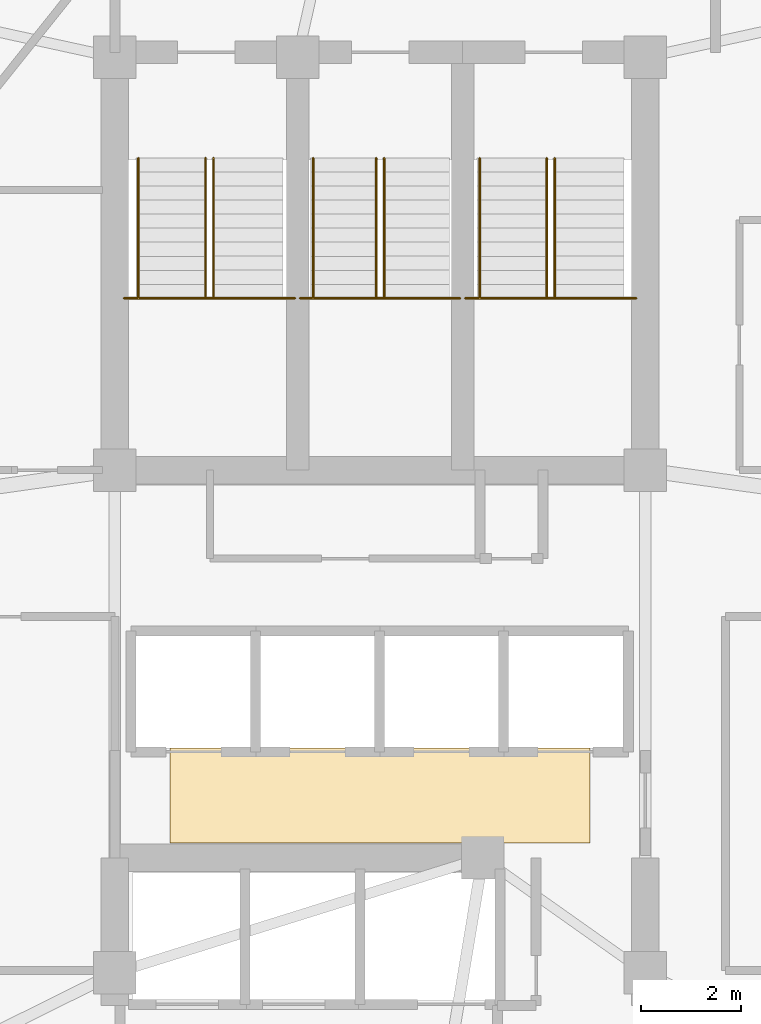
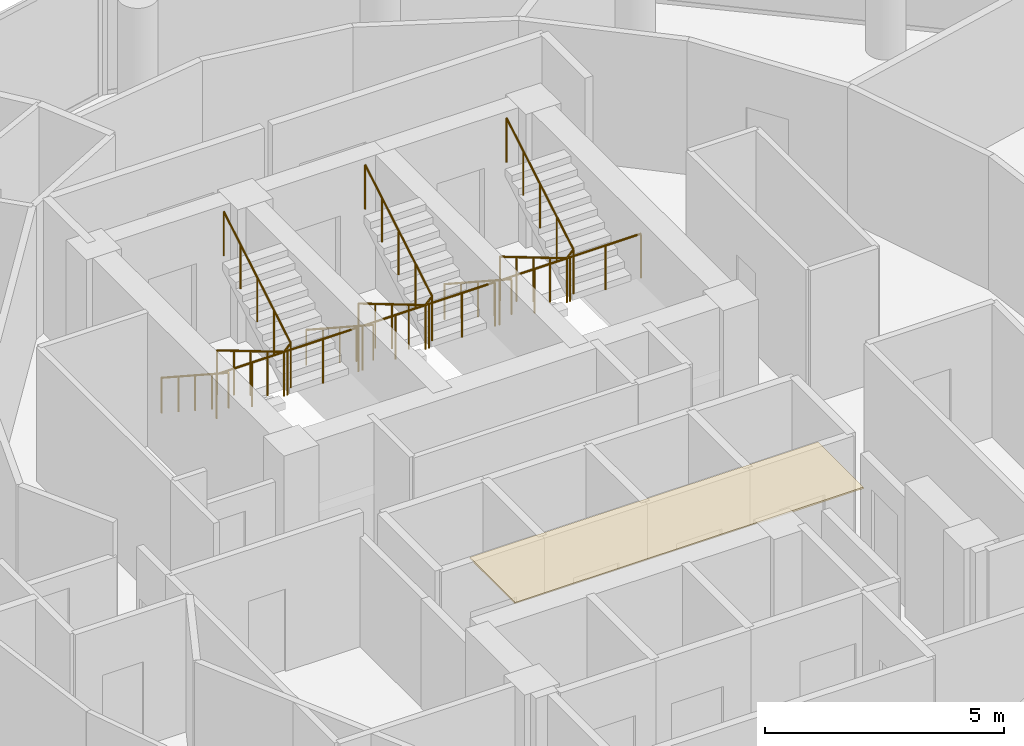
# One storey, part 27 of 27: 9 railings, 1 covering.
"""IFC4 building model written with IfcOpenShell, lengths in metres."""

from ifc_helpers import new_model, si_unit, direction, frame, origin, place, context, subcontext, project, spatial, polyline, outline, extrude, material, layer, layer_set, type_object, element, save


model = new_model("IFC4")

# Units and contexts
model_context = context("Model", 3, precision=1e-05, world=origin(), true_north=direction((0.0, 1.0)))
body_context = subcontext(model_context, "Body", "Model", "MODEL_VIEW")
ifc_project = project(units=[si_unit("LENGTHUNIT", "METRE"), si_unit("AREAUNIT", "SQUARE_METRE"), si_unit("VOLUMEUNIT", "CUBIC_METRE"), si_unit("PLANEANGLEUNIT", "RADIAN"), si_unit("MASSUNIT", "GRAM", prefix="KILO")], contexts=[model_context])

# Site, building, storey
site_placement = place(None, origin())
site = spatial("IfcSite", under=ifc_project, at=site_placement, CompositionType="ELEMENT")
building_placement = place(site_placement, origin())
building = spatial("IfcBuilding", under=site, at=building_placement, Name="Nuhasar Tower", CompositionType="ELEMENT")
storey_placement = place(building_placement, frame((0.0, 0.0, 219.10009765625)))
storey = spatial("IfcBuildingStorey", under=building, at=storey_placement, Name="L53", CompositionType="ELEMENT", Elevation=219.10009765625)

# Covering
ifc_material_1 = material(Name="Mineral Fibre Acoustic", Category="insulation")
ifc_layer = layer(ifc_material_1, 0.0400390625)
ifc_layer_set = layer_set([ifc_layer], Name="Mineral Fibre Acoustic")
covering_type = type_object("IfcCoveringType", Name="COV-CEIL-AC60", PredefinedType="CEILING", material=ifc_layer_set)
covering_placement = place(storey_placement, frame((0.0, 0.0, 3.369873046875)))
element("IfcCovering", 1, at=covering_placement, inside=storey, type_object=covering_type, Name="L53 Lift Lobby Acoustic Ceiling", PredefinedType="CEILING", context=body_context, shape_type="SweptSolid", body=[
    extrude(outline(polyline([(34.800048828125, 21.60009765625), (43.199951171875, 21.60009765625), (43.199951171875, 23.5), (34.800048828125, 23.5), (34.800048828125, 21.60009765625)])), origin(), (0.0, 0.0, 1.0), 0.0400390625),
])

# Railings
ifc_material_2 = material(Name="Steel S355", Category="steel")
railing_type_1 = type_object("IfcRailingType", Name="RLG-STAIR-GUARD-1150", PredefinedType="GUARDRAIL", material=ifc_material_2)
railing_1_placement = place(storey_placement, frame((33.8798828125, 32.485107421875, 1.824951171875)))
element("IfcRailing", 2, at=railing_1_placement, inside=storey, type_object=railing_type_1, Name="L53 Stair ST-01 Guardrail LND", PredefinedType="GUARDRAIL", context=body_context, shape_type="SweptSolid", body=[
    extrude(outline(polyline([(0.024169921875, 0.0), (0.01708984375, 0.01708984375), (0.0, 0.024169921875), (-0.01708984375, 0.01708984375), (-0.024169921875, 0.0), (-0.01708984375, -0.01708984375), (0.0, -0.024169921875), (0.01708984375, -0.01708984375), (0.024169921875, 0.0)])), frame((0.0, 0.0, 1.1259765625), z_axis=(1.0, 0.0, 0.0), x_axis=(0.0, 1.0, 0.0)), (0.0, 0.0, 1.0), 3.420166015625),
    extrude(outline(polyline([(0.02099609375, 0.0), (0.014892578125, 0.014892578125), (0.0, 0.02099609375), (-0.014892578125, 0.014892578125), (-0.02099609375, 0.0), (-0.014892578125, -0.014892578125), (0.0, -0.02099609375), (0.014892578125, -0.014892578125), (0.02099609375, 0.0)])), origin(), (0.0, 0.0, 1.0), 1.101806640625),
    extrude(outline(polyline([(0.02099609375, 0.0), (0.014892578125, 0.014892578125), (0.0, 0.02099609375), (-0.014892578125, 0.014892578125), (-0.02099609375, 0.0), (-0.014892578125, -0.014892578125), (0.0, -0.02099609375), (0.014892578125, -0.014892578125), (0.02099609375, 0.0)])), frame((0.85498046875, 0.0, 0.0)), (0.0, 0.0, 1.0), 1.101806640625),
    extrude(outline(polyline([(0.02099609375, 0.0), (0.014892578125, 0.014892578125), (0.0, 0.02099609375), (-0.014892578125, 0.014892578125), (-0.02099609375, 0.0), (-0.014892578125, -0.014892578125), (0.0, -0.02099609375), (0.014892578125, -0.014892578125), (0.02099609375, 0.0)])), frame((1.7099609375, 0.0, 0.0)), (0.0, 0.0, 1.0), 1.101806640625),
    extrude(outline(polyline([(0.02099609375, 0.0), (0.014892578125, 0.014892578125), (0.0, 0.02099609375), (-0.014892578125, 0.014892578125), (-0.02099609375, 0.0), (-0.014892578125, -0.014892578125), (0.0, -0.02099609375), (0.014892578125, -0.014892578125), (0.02099609375, 0.0)])), frame((2.565185546875, 0.0, 0.0)), (0.0, 0.0, 1.0), 1.101806640625),
    extrude(outline(polyline([(0.02099609375, 0.0), (0.014892578125, 0.014892578125), (0.0, 0.02099609375), (-0.014892578125, 0.014892578125), (-0.02099609375, 0.0), (-0.014892578125, -0.014892578125), (0.0, -0.02099609375), (0.014892578125, -0.014892578125), (0.02099609375, 0.0)])), frame((3.420166015625, 0.0, 0.0)), (0.0, 0.0, 1.0), 1.101806640625),
])
railing_2_placement = place(storey_placement, frame((35.510009765625, 35.284912109375, 0.166015625)))
element("IfcRailing", 3, at=railing_2_placement, inside=storey, type_object=railing_type_1, Name="L53 Stair ST-01 Guardrail SLT", PredefinedType="GUARDRAIL", context=body_context, shape_type="SweptSolid", body=[
    extrude(outline(polyline([(0.024169921875, 0.0), (0.01708984375, 0.01708984375), (0.0, 0.024169921875), (-0.01708984375, 0.01708984375), (-0.024169921875, 0.0), (-0.01708984375, -0.01708984375), (0.0, -0.024169921875), (0.01708984375, -0.01708984375), (0.024169921875, 0.0)])), frame((0.0, 0.0, 1.1259765625), z_axis=(0.0, -0.860319559791, 0.509755093197), x_axis=(1.0, 0.0, 0.0)), (0.0, 0.0, 1.0), 3.25439453125),
    extrude(outline(polyline([(0.024169921875, 0.0), (0.01708984375, 0.01708984375), (0.0, 0.024169921875), (-0.01708984375, 0.01708984375), (-0.024169921875, 0.0), (-0.01708984375, -0.01708984375), (0.0, -0.024169921875), (0.01708984375, -0.01708984375), (0.024169921875, 0.0)])), frame((0.0, -2.7998046875, 2.78466796875), z_axis=(0.693743449033, 0.0, 0.72022220663), x_axis=(0.0, 1.0, 0.0)), (0.0, 0.0, 1.0), 0.23046875),
    extrude(outline(polyline([(0.024169921875, 0.0), (0.01708984375, 0.01708984375), (0.0, 0.024169921875), (-0.01708984375, 0.01708984375), (-0.024169921875, 0.0), (-0.01708984375, -0.01708984375), (0.0, -0.024169921875), (0.01708984375, -0.01708984375), (0.024169921875, 0.0)])), frame((0.159912109375, -2.7998046875, 2.95068359375), z_axis=(0.0, 0.860319559791, 0.509755093197), x_axis=(-1.0, 0.0, 0.0)), (0.0, 0.0, 1.0), 3.25439453125),
    extrude(outline(polyline([(0.02099609375, 0.0), (0.014892578125, 0.014892578125), (0.0, 0.02099609375), (-0.014892578125, 0.014892578125), (-0.02099609375, 0.0), (-0.014892578125, -0.014892578125), (0.0, -0.02099609375), (0.014892578125, -0.014892578125), (0.02099609375, 0.0)])), origin(), (0.0, 0.0, 1.0), 1.101806640625),
    extrude(outline(polyline([(0.02099609375, 0.0), (0.014892578125, 0.014892578125), (0.0, 0.02099609375), (-0.014892578125, 0.014892578125), (-0.02099609375, 0.0), (-0.014892578125, -0.014892578125), (0.0, -0.02099609375), (0.014892578125, -0.014892578125), (0.02099609375, 0.0)])), frame((0.0, -0.699951171875, 0.414794921875)), (0.0, 0.0, 1.0), 1.101806640625),
    extrude(outline(polyline([(0.02099609375, 0.0), (0.014892578125, 0.014892578125), (0.0, 0.02099609375), (-0.014892578125, 0.014892578125), (-0.02099609375, 0.0), (-0.014892578125, -0.014892578125), (0.0, -0.02099609375), (0.014892578125, -0.014892578125), (0.02099609375, 0.0)])), frame((0.0, -1.39990234375, 0.82958984375)), (0.0, 0.0, 1.0), 1.101806640625),
    extrude(outline(polyline([(0.02099609375, 0.0), (0.014892578125, 0.014892578125), (0.0, 0.02099609375), (-0.014892578125, 0.014892578125), (-0.02099609375, 0.0), (-0.014892578125, -0.014892578125), (0.0, -0.02099609375), (0.014892578125, -0.014892578125), (0.02099609375, 0.0)])), frame((0.0, -2.099853515625, 1.244140625)), (0.0, 0.0, 1.0), 1.101806640625),
    extrude(outline(polyline([(0.02099609375, 0.0), (0.014892578125, 0.014892578125), (0.0, 0.02099609375), (-0.014892578125, 0.014892578125), (-0.02099609375, 0.0), (-0.014892578125, -0.014892578125), (0.0, -0.02099609375), (0.014892578125, -0.014892578125), (0.02099609375, 0.0)])), frame((0.0, -2.7998046875, 1.658935546875)), (0.0, 0.0, 1.0), 1.101806640625),
    extrude(outline(polyline([(0.02099609375, 0.0), (0.014892578125, 0.014892578125), (0.0, 0.02099609375), (-0.014892578125, 0.014892578125), (-0.02099609375, 0.0), (-0.014892578125, -0.014892578125), (0.0, -0.02099609375), (0.014892578125, -0.014892578125), (0.02099609375, 0.0)])), frame((0.159912109375, -2.7998046875, 1.824951171875)), (0.0, 0.0, 1.0), 1.101806640625),
    extrude(outline(polyline([(0.02099609375, 0.0), (0.014892578125, 0.014892578125), (0.0, 0.02099609375), (-0.014892578125, 0.014892578125), (-0.02099609375, 0.0), (-0.014892578125, -0.014892578125), (0.0, -0.02099609375), (0.014892578125, -0.014892578125), (0.02099609375, 0.0)])), frame((0.159912109375, -2.099853515625, 2.23974609375)), (0.0, 0.0, 1.0), 1.101806640625),
    extrude(outline(polyline([(0.02099609375, 0.0), (0.014892578125, 0.014892578125), (0.0, 0.02099609375), (-0.014892578125, 0.014892578125), (-0.02099609375, 0.0), (-0.014892578125, -0.014892578125), (0.0, -0.02099609375), (0.014892578125, -0.014892578125), (0.02099609375, 0.0)])), frame((0.159912109375, -1.39990234375, 2.654296875)), (0.0, 0.0, 1.0), 1.101806640625),
    extrude(outline(polyline([(0.02099609375, 0.0), (0.014892578125, 0.014892578125), (0.0, 0.02099609375), (-0.014892578125, 0.014892578125), (-0.02099609375, 0.0), (-0.014892578125, -0.014892578125), (0.0, -0.02099609375), (0.014892578125, -0.014892578125), (0.02099609375, 0.0)])), frame((0.159912109375, -0.699951171875, 3.069091796875)), (0.0, 0.0, 1.0), 1.101806640625),
    extrude(outline(polyline([(0.02099609375, 0.0), (0.014892578125, 0.014892578125), (0.0, 0.02099609375), (-0.014892578125, 0.014892578125), (-0.02099609375, 0.0), (-0.014892578125, -0.014892578125), (0.0, -0.02099609375), (0.014892578125, -0.014892578125), (0.02099609375, 0.0)])), frame((0.159912109375, 0.0, 3.48388671875)), (0.0, 0.0, 1.0), 1.101806640625),
])
railing_3_placement = place(storey_placement, frame((37.39990234375, 32.485107421875, 1.824951171875)))
element("IfcRailing", 4, at=railing_3_placement, inside=storey, type_object=railing_type_1, Name="L53 Stair ST-03 Guardrail LND", PredefinedType="GUARDRAIL", context=body_context, shape_type="SweptSolid", body=[
    extrude(outline(polyline([(0.024169921875, 0.0), (0.01708984375, 0.01708984375), (0.0, 0.024169921875), (-0.01708984375, 0.01708984375), (-0.024169921875, 0.0), (-0.01708984375, -0.01708984375), (0.0, -0.024169921875), (0.01708984375, -0.01708984375), (0.024169921875, 0.0)])), frame((0.0, 0.0, 1.1259765625), z_axis=(1.0, 0.0, 0.0), x_axis=(0.0, 1.0, 0.0)), (0.0, 0.0, 1.0), 3.2001953125),
    extrude(outline(polyline([(0.02099609375, 0.0), (0.014892578125, 0.014892578125), (0.0, 0.02099609375), (-0.014892578125, 0.014892578125), (-0.02099609375, 0.0), (-0.014892578125, -0.014892578125), (0.0, -0.02099609375), (0.014892578125, -0.014892578125), (0.02099609375, 0.0)])), origin(), (0.0, 0.0, 1.0), 1.101806640625),
    extrude(outline(polyline([(0.02099609375, 0.0), (0.014892578125, 0.014892578125), (0.0, 0.02099609375), (-0.014892578125, 0.014892578125), (-0.02099609375, 0.0), (-0.014892578125, -0.014892578125), (0.0, -0.02099609375), (0.014892578125, -0.014892578125), (0.02099609375, 0.0)])), frame((0.800048828125, 0.0, 0.0)), (0.0, 0.0, 1.0), 1.101806640625),
    extrude(outline(polyline([(0.02099609375, 0.0), (0.014892578125, 0.014892578125), (0.0, 0.02099609375), (-0.014892578125, 0.014892578125), (-0.02099609375, 0.0), (-0.014892578125, -0.014892578125), (0.0, -0.02099609375), (0.014892578125, -0.014892578125), (0.02099609375, 0.0)])), frame((1.60009765625, 0.0, 0.0)), (0.0, 0.0, 1.0), 1.101806640625),
    extrude(outline(polyline([(0.02099609375, 0.0), (0.014892578125, 0.014892578125), (0.0, 0.02099609375), (-0.014892578125, 0.014892578125), (-0.02099609375, 0.0), (-0.014892578125, -0.014892578125), (0.0, -0.02099609375), (0.014892578125, -0.014892578125), (0.02099609375, 0.0)])), frame((2.400146484375, 0.0, 0.0)), (0.0, 0.0, 1.0), 1.101806640625),
    extrude(outline(polyline([(0.02099609375, 0.0), (0.014892578125, 0.014892578125), (0.0, 0.02099609375), (-0.014892578125, 0.014892578125), (-0.02099609375, 0.0), (-0.014892578125, -0.014892578125), (0.0, -0.02099609375), (0.014892578125, -0.014892578125), (0.02099609375, 0.0)])), frame((3.2001953125, 0.0, 0.0)), (0.0, 0.0, 1.0), 1.101806640625),
])
railing_4_placement = place(storey_placement, frame((38.919921875, 35.284912109375, 0.166015625)))
element("IfcRailing", 5, at=railing_4_placement, inside=storey, type_object=railing_type_1, Name="L53 Stair ST-03 Guardrail SLT", PredefinedType="GUARDRAIL", context=body_context, shape_type="SweptSolid", body=[
    extrude(outline(polyline([(0.024169921875, 0.0), (0.01708984375, 0.01708984375), (0.0, 0.024169921875), (-0.01708984375, 0.01708984375), (-0.024169921875, 0.0), (-0.01708984375, -0.01708984375), (0.0, -0.024169921875), (0.01708984375, -0.01708984375), (0.024169921875, 0.0)])), frame((0.0, 0.0, 1.1259765625), z_axis=(0.0, -0.860319559791, 0.509755093197), x_axis=(1.0, 0.0, 0.0)), (0.0, 0.0, 1.0), 3.25439453125),
    extrude(outline(polyline([(0.024169921875, 0.0), (0.01708984375, 0.01708984375), (0.0, 0.024169921875), (-0.01708984375, 0.01708984375), (-0.024169921875, 0.0), (-0.01708984375, -0.01708984375), (0.0, -0.024169921875), (0.01708984375, -0.01708984375), (0.024169921875, 0.0)])), frame((0.0, -2.7998046875, 2.78466796875), z_axis=(0.694292246407, 0.0, 0.719693182251), x_axis=(0.0, 1.0, 0.0)), (0.0, 0.0, 1.0), 0.230712890625),
    extrude(outline(polyline([(0.024169921875, 0.0), (0.01708984375, 0.01708984375), (0.0, 0.024169921875), (-0.01708984375, 0.01708984375), (-0.024169921875, 0.0), (-0.01708984375, -0.01708984375), (0.0, -0.024169921875), (0.01708984375, -0.01708984375), (0.024169921875, 0.0)])), frame((0.16015625, -2.7998046875, 2.95068359375), z_axis=(0.0, 0.860319559791, 0.509755093197), x_axis=(-1.0, 0.0, 0.0)), (0.0, 0.0, 1.0), 3.25439453125),
    extrude(outline(polyline([(0.02099609375, 0.0), (0.014892578125, 0.014892578125), (0.0, 0.02099609375), (-0.014892578125, 0.014892578125), (-0.02099609375, 0.0), (-0.014892578125, -0.014892578125), (0.0, -0.02099609375), (0.014892578125, -0.014892578125), (0.02099609375, 0.0)])), origin(), (0.0, 0.0, 1.0), 1.101806640625),
    extrude(outline(polyline([(0.02099609375, 0.0), (0.014892578125, 0.014892578125), (0.0, 0.02099609375), (-0.014892578125, 0.014892578125), (-0.02099609375, 0.0), (-0.014892578125, -0.014892578125), (0.0, -0.02099609375), (0.014892578125, -0.014892578125), (0.02099609375, 0.0)])), frame((0.0, -0.699951171875, 0.414794921875)), (0.0, 0.0, 1.0), 1.101806640625),
    extrude(outline(polyline([(0.02099609375, 0.0), (0.014892578125, 0.014892578125), (0.0, 0.02099609375), (-0.014892578125, 0.014892578125), (-0.02099609375, 0.0), (-0.014892578125, -0.014892578125), (0.0, -0.02099609375), (0.014892578125, -0.014892578125), (0.02099609375, 0.0)])), frame((0.0, -1.39990234375, 0.82958984375)), (0.0, 0.0, 1.0), 1.101806640625),
    extrude(outline(polyline([(0.02099609375, 0.0), (0.014892578125, 0.014892578125), (0.0, 0.02099609375), (-0.014892578125, 0.014892578125), (-0.02099609375, 0.0), (-0.014892578125, -0.014892578125), (0.0, -0.02099609375), (0.014892578125, -0.014892578125), (0.02099609375, 0.0)])), frame((0.0, -2.099853515625, 1.244140625)), (0.0, 0.0, 1.0), 1.101806640625),
    extrude(outline(polyline([(0.02099609375, 0.0), (0.014892578125, 0.014892578125), (0.0, 0.02099609375), (-0.014892578125, 0.014892578125), (-0.02099609375, 0.0), (-0.014892578125, -0.014892578125), (0.0, -0.02099609375), (0.014892578125, -0.014892578125), (0.02099609375, 0.0)])), frame((0.0, -2.7998046875, 1.658935546875)), (0.0, 0.0, 1.0), 1.101806640625),
    extrude(outline(polyline([(0.02099609375, 0.0), (0.014892578125, 0.014892578125), (0.0, 0.02099609375), (-0.014892578125, 0.014892578125), (-0.02099609375, 0.0), (-0.014892578125, -0.014892578125), (0.0, -0.02099609375), (0.014892578125, -0.014892578125), (0.02099609375, 0.0)])), frame((0.16015625, -2.7998046875, 1.824951171875)), (0.0, 0.0, 1.0), 1.101806640625),
    extrude(outline(polyline([(0.02099609375, 0.0), (0.014892578125, 0.014892578125), (0.0, 0.02099609375), (-0.014892578125, 0.014892578125), (-0.02099609375, 0.0), (-0.014892578125, -0.014892578125), (0.0, -0.02099609375), (0.014892578125, -0.014892578125), (0.02099609375, 0.0)])), frame((0.16015625, -2.099853515625, 2.23974609375)), (0.0, 0.0, 1.0), 1.101806640625),
    extrude(outline(polyline([(0.02099609375, 0.0), (0.014892578125, 0.014892578125), (0.0, 0.02099609375), (-0.014892578125, 0.014892578125), (-0.02099609375, 0.0), (-0.014892578125, -0.014892578125), (0.0, -0.02099609375), (0.014892578125, -0.014892578125), (0.02099609375, 0.0)])), frame((0.16015625, -1.39990234375, 2.654296875)), (0.0, 0.0, 1.0), 1.101806640625),
    extrude(outline(polyline([(0.02099609375, 0.0), (0.014892578125, 0.014892578125), (0.0, 0.02099609375), (-0.014892578125, 0.014892578125), (-0.02099609375, 0.0), (-0.014892578125, -0.014892578125), (0.0, -0.02099609375), (0.014892578125, -0.014892578125), (0.02099609375, 0.0)])), frame((0.16015625, -0.699951171875, 3.069091796875)), (0.0, 0.0, 1.0), 1.101806640625),
    extrude(outline(polyline([(0.02099609375, 0.0), (0.014892578125, 0.014892578125), (0.0, 0.02099609375), (-0.014892578125, 0.014892578125), (-0.02099609375, 0.0), (-0.014892578125, -0.014892578125), (0.0, -0.02099609375), (0.014892578125, -0.014892578125), (0.02099609375, 0.0)])), frame((0.16015625, 0.0, 3.48388671875)), (0.0, 0.0, 1.0), 1.101806640625),
])
railing_5_placement = place(storey_placement, frame((40.699951171875, 32.485107421875, 1.824951171875)))
element("IfcRailing", 6, at=railing_5_placement, inside=storey, type_object=railing_type_1, Name="L53 Stair ST-02 Guardrail LND", PredefinedType="GUARDRAIL", context=body_context, shape_type="SweptSolid", body=[
    extrude(outline(polyline([(0.024169921875, 0.0), (0.01708984375, 0.01708984375), (0.0, 0.024169921875), (-0.01708984375, 0.01708984375), (-0.024169921875, 0.0), (-0.01708984375, -0.01708984375), (0.0, -0.024169921875), (0.01708984375, -0.01708984375), (0.024169921875, 0.0)])), frame((0.0, 0.0, 1.1259765625), z_axis=(1.0, 0.0, 0.0), x_axis=(0.0, 1.0, 0.0)), (0.0, 0.0, 1.0), 3.420166015625),
    extrude(outline(polyline([(0.02099609375, 0.0), (0.014892578125, 0.014892578125), (0.0, 0.02099609375), (-0.014892578125, 0.014892578125), (-0.02099609375, 0.0), (-0.014892578125, -0.014892578125), (0.0, -0.02099609375), (0.014892578125, -0.014892578125), (0.02099609375, 0.0)])), origin(), (0.0, 0.0, 1.0), 1.101806640625),
    extrude(outline(polyline([(0.02099609375, 0.0), (0.014892578125, 0.014892578125), (0.0, 0.02099609375), (-0.014892578125, 0.014892578125), (-0.02099609375, 0.0), (-0.014892578125, -0.014892578125), (0.0, -0.02099609375), (0.014892578125, -0.014892578125), (0.02099609375, 0.0)])), frame((0.85498046875, 0.0, 0.0)), (0.0, 0.0, 1.0), 1.101806640625),
    extrude(outline(polyline([(0.02099609375, 0.0), (0.014892578125, 0.014892578125), (0.0, 0.02099609375), (-0.014892578125, 0.014892578125), (-0.02099609375, 0.0), (-0.014892578125, -0.014892578125), (0.0, -0.02099609375), (0.014892578125, -0.014892578125), (0.02099609375, 0.0)])), frame((1.7099609375, 0.0, 0.0)), (0.0, 0.0, 1.0), 1.101806640625),
    extrude(outline(polyline([(0.02099609375, 0.0), (0.014892578125, 0.014892578125), (0.0, 0.02099609375), (-0.014892578125, 0.014892578125), (-0.02099609375, 0.0), (-0.014892578125, -0.014892578125), (0.0, -0.02099609375), (0.014892578125, -0.014892578125), (0.02099609375, 0.0)])), frame((2.565185546875, 0.0, 0.0)), (0.0, 0.0, 1.0), 1.101806640625),
    extrude(outline(polyline([(0.02099609375, 0.0), (0.014892578125, 0.014892578125), (0.0, 0.02099609375), (-0.014892578125, 0.014892578125), (-0.02099609375, 0.0), (-0.014892578125, -0.014892578125), (0.0, -0.02099609375), (0.014892578125, -0.014892578125), (0.02099609375, 0.0)])), frame((3.420166015625, 0.0, 0.0)), (0.0, 0.0, 1.0), 1.101806640625),
])
railing_6_placement = place(storey_placement, frame((42.330078125, 35.284912109375, 0.166015625)))
element("IfcRailing", 7, at=railing_6_placement, inside=storey, type_object=railing_type_1, Name="L53 Stair ST-02 Guardrail SLT", PredefinedType="GUARDRAIL", context=body_context, shape_type="SweptSolid", body=[
    extrude(outline(polyline([(0.024169921875, 0.0), (0.01708984375, 0.01708984375), (0.0, 0.024169921875), (-0.01708984375, 0.01708984375), (-0.024169921875, 0.0), (-0.01708984375, -0.01708984375), (0.0, -0.024169921875), (0.01708984375, -0.01708984375), (0.024169921875, 0.0)])), frame((0.0, 0.0, 1.1259765625), z_axis=(0.0, -0.860319559791, 0.509755093197), x_axis=(1.0, 0.0, 0.0)), (0.0, 0.0, 1.0), 3.25439453125),
    extrude(outline(polyline([(0.024169921875, 0.0), (0.01708984375, 0.01708984375), (0.0, 0.024169921875), (-0.01708984375, 0.01708984375), (-0.024169921875, 0.0), (-0.01708984375, -0.01708984375), (0.0, -0.024169921875), (0.01708984375, -0.01708984375), (0.024169921875, 0.0)])), frame((0.0, -2.7998046875, 2.78466796875), z_axis=(0.693743449033, 0.0, 0.72022220663), x_axis=(0.0, 1.0, 0.0)), (0.0, 0.0, 1.0), 0.23046875),
    extrude(outline(polyline([(0.024169921875, 0.0), (0.01708984375, 0.01708984375), (0.0, 0.024169921875), (-0.01708984375, 0.01708984375), (-0.024169921875, 0.0), (-0.01708984375, -0.01708984375), (0.0, -0.024169921875), (0.01708984375, -0.01708984375), (0.024169921875, 0.0)])), frame((0.159912109375, -2.7998046875, 2.95068359375), z_axis=(0.0, 0.860319559791, 0.509755093197), x_axis=(-1.0, 0.0, 0.0)), (0.0, 0.0, 1.0), 3.25439453125),
    extrude(outline(polyline([(0.02099609375, 0.0), (0.014892578125, 0.014892578125), (0.0, 0.02099609375), (-0.014892578125, 0.014892578125), (-0.02099609375, 0.0), (-0.014892578125, -0.014892578125), (0.0, -0.02099609375), (0.014892578125, -0.014892578125), (0.02099609375, 0.0)])), origin(), (0.0, 0.0, 1.0), 1.101806640625),
    extrude(outline(polyline([(0.02099609375, 0.0), (0.014892578125, 0.014892578125), (0.0, 0.02099609375), (-0.014892578125, 0.014892578125), (-0.02099609375, 0.0), (-0.014892578125, -0.014892578125), (0.0, -0.02099609375), (0.014892578125, -0.014892578125), (0.02099609375, 0.0)])), frame((0.0, -0.699951171875, 0.414794921875)), (0.0, 0.0, 1.0), 1.101806640625),
    extrude(outline(polyline([(0.02099609375, 0.0), (0.014892578125, 0.014892578125), (0.0, 0.02099609375), (-0.014892578125, 0.014892578125), (-0.02099609375, 0.0), (-0.014892578125, -0.014892578125), (0.0, -0.02099609375), (0.014892578125, -0.014892578125), (0.02099609375, 0.0)])), frame((0.0, -1.39990234375, 0.82958984375)), (0.0, 0.0, 1.0), 1.101806640625),
    extrude(outline(polyline([(0.02099609375, 0.0), (0.014892578125, 0.014892578125), (0.0, 0.02099609375), (-0.014892578125, 0.014892578125), (-0.02099609375, 0.0), (-0.014892578125, -0.014892578125), (0.0, -0.02099609375), (0.014892578125, -0.014892578125), (0.02099609375, 0.0)])), frame((0.0, -2.099853515625, 1.244140625)), (0.0, 0.0, 1.0), 1.101806640625),
    extrude(outline(polyline([(0.02099609375, 0.0), (0.014892578125, 0.014892578125), (0.0, 0.02099609375), (-0.014892578125, 0.014892578125), (-0.02099609375, 0.0), (-0.014892578125, -0.014892578125), (0.0, -0.02099609375), (0.014892578125, -0.014892578125), (0.02099609375, 0.0)])), frame((0.0, -2.7998046875, 1.658935546875)), (0.0, 0.0, 1.0), 1.101806640625),
    extrude(outline(polyline([(0.02099609375, 0.0), (0.014892578125, 0.014892578125), (0.0, 0.02099609375), (-0.014892578125, 0.014892578125), (-0.02099609375, 0.0), (-0.014892578125, -0.014892578125), (0.0, -0.02099609375), (0.014892578125, -0.014892578125), (0.02099609375, 0.0)])), frame((0.159912109375, -2.7998046875, 1.824951171875)), (0.0, 0.0, 1.0), 1.101806640625),
    extrude(outline(polyline([(0.02099609375, 0.0), (0.014892578125, 0.014892578125), (0.0, 0.02099609375), (-0.014892578125, 0.014892578125), (-0.02099609375, 0.0), (-0.014892578125, -0.014892578125), (0.0, -0.02099609375), (0.014892578125, -0.014892578125), (0.02099609375, 0.0)])), frame((0.159912109375, -2.099853515625, 2.23974609375)), (0.0, 0.0, 1.0), 1.101806640625),
    extrude(outline(polyline([(0.02099609375, 0.0), (0.014892578125, 0.014892578125), (0.0, 0.02099609375), (-0.014892578125, 0.014892578125), (-0.02099609375, 0.0), (-0.014892578125, -0.014892578125), (0.0, -0.02099609375), (0.014892578125, -0.014892578125), (0.02099609375, 0.0)])), frame((0.159912109375, -1.39990234375, 2.654296875)), (0.0, 0.0, 1.0), 1.101806640625),
    extrude(outline(polyline([(0.02099609375, 0.0), (0.014892578125, 0.014892578125), (0.0, 0.02099609375), (-0.014892578125, 0.014892578125), (-0.02099609375, 0.0), (-0.014892578125, -0.014892578125), (0.0, -0.02099609375), (0.014892578125, -0.014892578125), (0.02099609375, 0.0)])), frame((0.159912109375, -0.699951171875, 3.069091796875)), (0.0, 0.0, 1.0), 1.101806640625),
    extrude(outline(polyline([(0.02099609375, 0.0), (0.014892578125, 0.014892578125), (0.0, 0.02099609375), (-0.014892578125, 0.014892578125), (-0.02099609375, 0.0), (-0.014892578125, -0.014892578125), (0.0, -0.02099609375), (0.014892578125, -0.014892578125), (0.02099609375, 0.0)])), frame((0.159912109375, 0.0, 3.48388671875)), (0.0, 0.0, 1.0), 1.101806640625),
])
ifc_material_3 = material(Name="Stainless Steel 316L", Category="steel")
railing_type_2 = type_object("IfcRailingType", Name="RLG-STAIR-HAND-920", PredefinedType="HANDRAIL", material=ifc_material_3)
railing_7_placement = place(storey_placement, frame((34.169921875, 35.284912109375, 0.166015625)))
element("IfcRailing", 8, at=railing_7_placement, inside=storey, type_object=railing_type_2, Name="L53 Stair ST-01 Handrail HND1", PredefinedType="HANDRAIL", context=body_context, shape_type="SweptSolid", body=[
    extrude(outline(polyline([(0.024169921875, 0.0), (0.01708984375, 0.01708984375), (0.0, 0.024169921875), (-0.01708984375, 0.01708984375), (-0.024169921875, 0.0), (-0.01708984375, -0.01708984375), (0.0, -0.024169921875), (0.01708984375, -0.01708984375), (0.024169921875, 0.0)])), frame((0.0, 0.0, 0.89599609375), z_axis=(0.0, -0.837748630625, 0.546056070276), x_axis=(1.0, 0.0, 0.0)), (0.0, 0.0, 1.0), 3.342041015625),
    extrude(outline(polyline([(0.02099609375, 0.0), (0.014892578125, 0.014892578125), (0.0, 0.02099609375), (-0.014892578125, 0.014892578125), (-0.02099609375, 0.0), (-0.014892578125, -0.014892578125), (0.0, -0.02099609375), (0.014892578125, -0.014892578125), (0.02099609375, 0.0)])), origin(), (0.0, 0.0, 1.0), 0.871826171875),
    extrude(outline(polyline([(0.02099609375, 0.0), (0.014892578125, 0.014892578125), (0.0, 0.02099609375), (-0.014892578125, 0.014892578125), (-0.02099609375, 0.0), (-0.014892578125, -0.014892578125), (0.0, -0.02099609375), (0.014892578125, -0.014892578125), (0.02099609375, 0.0)])), frame((0.0, -0.699951171875, 0.456298828125)), (0.0, 0.0, 1.0), 0.871826171875),
    extrude(outline(polyline([(0.02099609375, 0.0), (0.014892578125, 0.014892578125), (0.0, 0.02099609375), (-0.014892578125, 0.014892578125), (-0.02099609375, 0.0), (-0.014892578125, -0.014892578125), (0.0, -0.02099609375), (0.014892578125, -0.014892578125), (0.02099609375, 0.0)])), frame((0.0, -1.39990234375, 0.91259765625)), (0.0, 0.0, 1.0), 0.871826171875),
    extrude(outline(polyline([(0.02099609375, 0.0), (0.014892578125, 0.014892578125), (0.0, 0.02099609375), (-0.014892578125, 0.014892578125), (-0.02099609375, 0.0), (-0.014892578125, -0.014892578125), (0.0, -0.02099609375), (0.014892578125, -0.014892578125), (0.02099609375, 0.0)])), frame((0.0, -2.099853515625, 1.36865234375)), (0.0, 0.0, 1.0), 0.871826171875),
    extrude(outline(polyline([(0.02099609375, 0.0), (0.014892578125, 0.014892578125), (0.0, 0.02099609375), (-0.014892578125, 0.014892578125), (-0.02099609375, 0.0), (-0.014892578125, -0.014892578125), (0.0, -0.02099609375), (0.014892578125, -0.014892578125), (0.02099609375, 0.0)])), frame((0.0, -2.7998046875, 1.824951171875)), (0.0, 0.0, 1.0), 0.871826171875),
])
railing_8_placement = place(storey_placement, frame((37.659912109375, 35.284912109375, 0.166015625)))
element("IfcRailing", 9, at=railing_8_placement, inside=storey, type_object=railing_type_2, Name="L53 Stair ST-03 Handrail HND1", PredefinedType="HANDRAIL", context=body_context, shape_type="SweptSolid", body=[
    extrude(outline(polyline([(0.024169921875, 0.0), (0.01708984375, 0.01708984375), (0.0, 0.024169921875), (-0.01708984375, 0.01708984375), (-0.024169921875, 0.0), (-0.01708984375, -0.01708984375), (0.0, -0.024169921875), (0.01708984375, -0.01708984375), (0.024169921875, 0.0)])), frame((0.0, 0.0, 0.89599609375), z_axis=(0.0, -0.837748630625, 0.546056070276), x_axis=(1.0, 0.0, 0.0)), (0.0, 0.0, 1.0), 3.342041015625),
    extrude(outline(polyline([(0.02099609375, 0.0), (0.014892578125, 0.014892578125), (0.0, 0.02099609375), (-0.014892578125, 0.014892578125), (-0.02099609375, 0.0), (-0.014892578125, -0.014892578125), (0.0, -0.02099609375), (0.014892578125, -0.014892578125), (0.02099609375, 0.0)])), origin(), (0.0, 0.0, 1.0), 0.871826171875),
    extrude(outline(polyline([(0.02099609375, 0.0), (0.014892578125, 0.014892578125), (0.0, 0.02099609375), (-0.014892578125, 0.014892578125), (-0.02099609375, 0.0), (-0.014892578125, -0.014892578125), (0.0, -0.02099609375), (0.014892578125, -0.014892578125), (0.02099609375, 0.0)])), frame((0.0, -0.699951171875, 0.456298828125)), (0.0, 0.0, 1.0), 0.871826171875),
    extrude(outline(polyline([(0.02099609375, 0.0), (0.014892578125, 0.014892578125), (0.0, 0.02099609375), (-0.014892578125, 0.014892578125), (-0.02099609375, 0.0), (-0.014892578125, -0.014892578125), (0.0, -0.02099609375), (0.014892578125, -0.014892578125), (0.02099609375, 0.0)])), frame((0.0, -1.39990234375, 0.91259765625)), (0.0, 0.0, 1.0), 0.871826171875),
    extrude(outline(polyline([(0.02099609375, 0.0), (0.014892578125, 0.014892578125), (0.0, 0.02099609375), (-0.014892578125, 0.014892578125), (-0.02099609375, 0.0), (-0.014892578125, -0.014892578125), (0.0, -0.02099609375), (0.014892578125, -0.014892578125), (0.02099609375, 0.0)])), frame((0.0, -2.099853515625, 1.36865234375)), (0.0, 0.0, 1.0), 0.871826171875),
    extrude(outline(polyline([(0.02099609375, 0.0), (0.014892578125, 0.014892578125), (0.0, 0.02099609375), (-0.014892578125, 0.014892578125), (-0.02099609375, 0.0), (-0.014892578125, -0.014892578125), (0.0, -0.02099609375), (0.014892578125, -0.014892578125), (0.02099609375, 0.0)])), frame((0.0, -2.7998046875, 1.824951171875)), (0.0, 0.0, 1.0), 0.871826171875),
])
railing_9_placement = place(storey_placement, frame((40.989990234375, 35.284912109375, 0.166015625)))
element("IfcRailing", 10, at=railing_9_placement, inside=storey, type_object=railing_type_2, Name="L53 Stair ST-02 Handrail HND1", PredefinedType="HANDRAIL", context=body_context, shape_type="SweptSolid", body=[
    extrude(outline(polyline([(0.024169921875, 0.0), (0.01708984375, 0.01708984375), (0.0, 0.024169921875), (-0.01708984375, 0.01708984375), (-0.024169921875, 0.0), (-0.01708984375, -0.01708984375), (0.0, -0.024169921875), (0.01708984375, -0.01708984375), (0.024169921875, 0.0)])), frame((0.0, 0.0, 0.89599609375), z_axis=(0.0, -0.837748630625, 0.546056070276), x_axis=(1.0, 0.0, 0.0)), (0.0, 0.0, 1.0), 3.342041015625),
    extrude(outline(polyline([(0.02099609375, 0.0), (0.014892578125, 0.014892578125), (0.0, 0.02099609375), (-0.014892578125, 0.014892578125), (-0.02099609375, 0.0), (-0.014892578125, -0.014892578125), (0.0, -0.02099609375), (0.014892578125, -0.014892578125), (0.02099609375, 0.0)])), origin(), (0.0, 0.0, 1.0), 0.871826171875),
    extrude(outline(polyline([(0.02099609375, 0.0), (0.014892578125, 0.014892578125), (0.0, 0.02099609375), (-0.014892578125, 0.014892578125), (-0.02099609375, 0.0), (-0.014892578125, -0.014892578125), (0.0, -0.02099609375), (0.014892578125, -0.014892578125), (0.02099609375, 0.0)])), frame((0.0, -0.699951171875, 0.456298828125)), (0.0, 0.0, 1.0), 0.871826171875),
    extrude(outline(polyline([(0.02099609375, 0.0), (0.014892578125, 0.014892578125), (0.0, 0.02099609375), (-0.014892578125, 0.014892578125), (-0.02099609375, 0.0), (-0.014892578125, -0.014892578125), (0.0, -0.02099609375), (0.014892578125, -0.014892578125), (0.02099609375, 0.0)])), frame((0.0, -1.39990234375, 0.91259765625)), (0.0, 0.0, 1.0), 0.871826171875),
    extrude(outline(polyline([(0.02099609375, 0.0), (0.014892578125, 0.014892578125), (0.0, 0.02099609375), (-0.014892578125, 0.014892578125), (-0.02099609375, 0.0), (-0.014892578125, -0.014892578125), (0.0, -0.02099609375), (0.014892578125, -0.014892578125), (0.02099609375, 0.0)])), frame((0.0, -2.099853515625, 1.36865234375)), (0.0, 0.0, 1.0), 0.871826171875),
    extrude(outline(polyline([(0.02099609375, 0.0), (0.014892578125, 0.014892578125), (0.0, 0.02099609375), (-0.014892578125, 0.014892578125), (-0.02099609375, 0.0), (-0.014892578125, -0.014892578125), (0.0, -0.02099609375), (0.014892578125, -0.014892578125), (0.02099609375, 0.0)])), frame((0.0, -2.7998046875, 1.824951171875)), (0.0, 0.0, 1.0), 0.871826171875),
])

save(model, "model.ifc")
